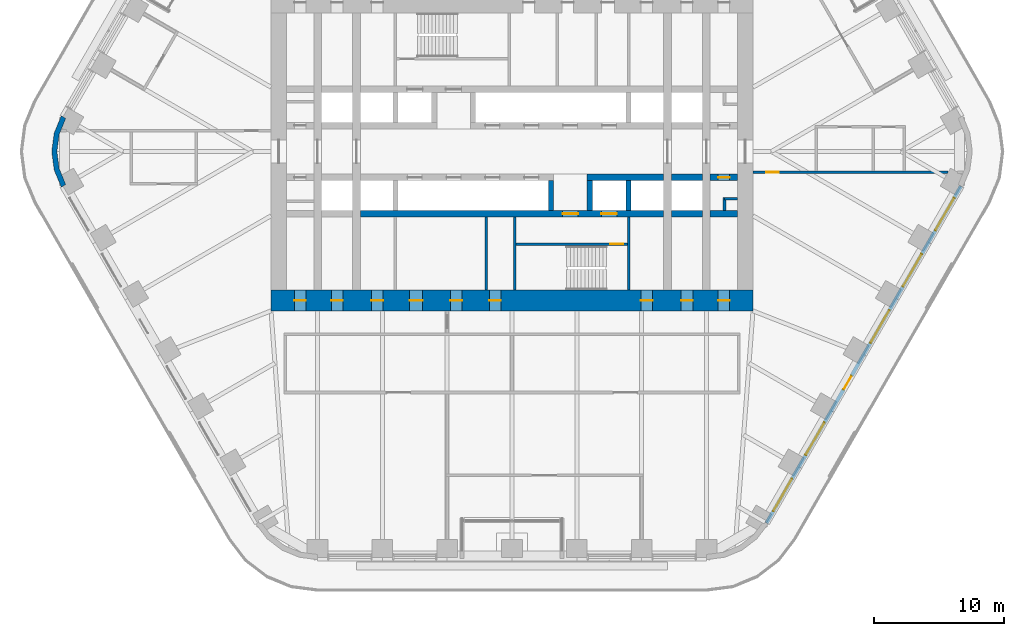
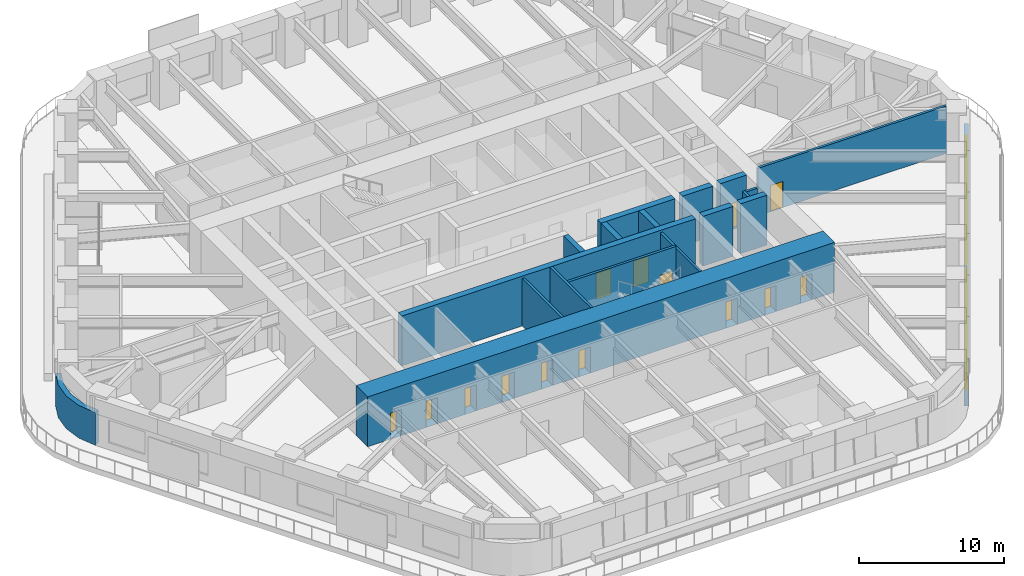
# One storey, part 18 of 24: 19 walls, 15 doors, 5 windows, 20 openings.
"""IFC4 building model written with IfcOpenShell, lengths in metres."""

from ifc_helpers import new_model, si_unit, direction, frame, frame_2d, origin, place, context, subcontext, project, spatial, polyline, rectangle, outline, extrude, material, layer, layer_set, type_object, element, fill, save


model = new_model("IFC4")

# Units and contexts
model_context = context("Model", 3, precision=1e-05, world=origin(), true_north=direction((0.0, 1.0)))
body_context = subcontext(model_context, "Body", "Model", "MODEL_VIEW")
ifc_project = project(units=[si_unit("LENGTHUNIT", "METRE"), si_unit("AREAUNIT", "SQUARE_METRE"), si_unit("VOLUMEUNIT", "CUBIC_METRE"), si_unit("PLANEANGLEUNIT", "RADIAN"), si_unit("MASSUNIT", "GRAM", prefix="KILO")], contexts=[model_context])

# Site, building, storey
site_placement = place(None, origin())
site = spatial("IfcSite", under=ifc_project, at=site_placement, CompositionType="ELEMENT")
building_placement = place(site_placement, origin())
building = spatial("IfcBuilding", under=site, at=building_placement, Name="Tarfa Lantern Tower", CompositionType="ELEMENT")
storey_placement = place(building_placement, frame((0.0, 0.0, 174.10009765625)))
storey = spatial("IfcBuildingStorey", under=building, at=storey_placement, Name="L39", CompositionType="ELEMENT", Elevation=174.10009765625)

# Wall, openings, door, windows
ifc_material_1 = material(Name="Limestone cladding on blockwork", Category="masonry")
ifc_layer_1 = layer(ifc_material_1, 0.300048828125)
ifc_layer_set_1 = layer_set([ifc_layer_1], Name="EW1 STONE-CLAD WALL 300")
wall_type_1 = type_object("IfcWallType", Name="EW1 STONE-CLAD WALL 300", PredefinedType="SOLIDWALL", material=ifc_layer_set_1)
wall_1_placement = place(storey_placement, frame((19.644287109375, -28.675048828125, 0.0), z_axis=(0.0, 0.0, 1.0), x_axis=(0.500003084452, 0.866023622968, 0.0)))
wall_1 = element("IfcWall", 1, at=wall_1_placement, inside=storey, type_object=wall_type_1, Name="Stone wall SE", PredefinedType="SOLIDWALL", context=body_context, shape_type="SweptSolid", body=[
    extrude(rectangle(XDim=30.022216796875, YDim=0.300048828125, at=frame_2d((15.01123046875, 0.0))), origin(), (0.0, 0.0, 1.0), 2.75),
])
opening_1_placement = place(wall_1_placement, frame((1.0517578125, 0.0, 0.60009765625)))
opening_1 = element("IfcOpeningElement", 2, at=opening_1_placement, cuts=wall_1, Name="Opening W9", PredefinedType="OPENING", context=body_context, shape_type="SweptSolid", body=[
    extrude(rectangle(XDim=2.89990234375, YDim=1.89990234375, at=frame_2d((1.449951171875, 0.949951171875))), frame((0.0, 0.159912109375, 0.0), z_axis=(0.0, -1.0, 0.0), x_axis=(1.0, 0.0, 0.0)), (0.0, 0.0, 1.0), 0.320068359375),
])
opening_2_placement = place(wall_1_placement, frame((6.0556640625, 0.0, 0.60009765625)))
opening_2 = element("IfcOpeningElement", 3, at=opening_2_placement, cuts=wall_1, Name="Opening W9", PredefinedType="OPENING", context=body_context, shape_type="SweptSolid", body=[
    extrude(rectangle(XDim=2.89990234375, YDim=1.89990234375, at=frame_2d((1.449951171875, 0.949951171875))), frame((0.0, 0.159912109375, 0.0), z_axis=(0.0, -1.0, 0.0), x_axis=(1.0, 0.0, 0.0)), (0.0, 0.0, 1.0), 0.320068359375),
])
opening_3_placement = place(wall_1_placement, frame((11.9091796875, 0.0, 0.0)))
opening_3 = element("IfcOpeningElement", 4, at=opening_3_placement, cuts=wall_1, Name="Opening D46", PredefinedType="OPENING", context=body_context, shape_type="SweptSolid", body=[
    extrude(rectangle(XDim=1.199951171875, YDim=2.39990234375, at=frame_2d((0.60009765625, 1.199951171875))), frame((0.0, 0.159912109375, 0.0), z_axis=(0.0, -1.0, 0.0), x_axis=(1.0, 0.0, 0.0)), (0.0, 0.0, 1.0), 0.320068359375),
])
opening_4_placement = place(wall_1_placement, frame((16.06298828125, 0.0, 0.60009765625)))
opening_4 = element("IfcOpeningElement", 5, at=opening_4_placement, cuts=wall_1, Name="Opening W9", PredefinedType="OPENING", context=body_context, shape_type="SweptSolid", body=[
    extrude(rectangle(XDim=2.89990234375, YDim=1.89990234375, at=frame_2d((1.449951171875, 0.949951171875))), frame((0.0, 0.159912109375, 0.0), z_axis=(0.0, -1.0, 0.0), x_axis=(1.0, 0.0, 0.0)), (0.0, 0.0, 1.0), 0.320068359375),
])
opening_5_placement = place(wall_1_placement, frame((21.066650390625, 0.0, 0.60009765625)))
opening_5 = element("IfcOpeningElement", 6, at=opening_5_placement, cuts=wall_1, Name="Opening W9", PredefinedType="OPENING", context=body_context, shape_type="SweptSolid", body=[
    extrude(rectangle(XDim=2.89990234375, YDim=1.89990234375, at=frame_2d((1.449951171875, 0.949951171875))), frame((0.0, 0.159912109375, 0.0), z_axis=(0.0, -1.0, 0.0), x_axis=(1.0, 0.0, 0.0)), (0.0, 0.0, 1.0), 0.320068359375),
])
opening_6_placement = place(wall_1_placement, frame((26.0703125, 0.0, 0.60009765625)))
opening_6 = element("IfcOpeningElement", 7, at=opening_6_placement, cuts=wall_1, Name="Opening W9", PredefinedType="OPENING", context=body_context, shape_type="SweptSolid", body=[
    extrude(rectangle(XDim=2.89990234375, YDim=1.89990234375, at=frame_2d((1.449951171875, 0.949951171875))), frame((0.0, 0.159912109375, 0.0), z_axis=(0.0, -1.0, 0.0), x_axis=(1.0, 0.0, 0.0)), (0.0, 0.0, 1.0), 0.320068359375),
])
ifc_material_2 = material(Name="Aluminium framed glazed door", Category="aluminium")
door_type_1 = type_object("IfcDoorType", Name="BE3 BALCONY DOOR 1200x2400", OperationType="SINGLE_SWING_RIGHT", PredefinedType="DOOR", material=ifc_material_2)
door_1_placement = place(opening_3_placement, origin())
door_1 = element("IfcDoor", 8, at=door_1_placement, inside=storey, type_object=door_type_1, Name="Balcony door SE", OperationType="SINGLE_SWING_RIGHT", OverallHeight=2.39990234375, OverallWidth=1.199951171875, PredefinedType="DOOR", context=body_context, shape_type="SweptSolid", body=[
    extrude(rectangle(XDim=1.199951171875, YDim=2.39990234375, at=frame_2d((0.60009765625, 1.199951171875))), frame((0.0, 0.02490234375, 0.0), z_axis=(0.0, -1.0, 0.0), x_axis=(1.0, 0.0, 0.0)), (0.0, 0.0, 1.0), 0.050048828125),
])
fill(opening_3, door_1)
ifc_material_3 = material(Name="Aluminium frame, double glazed", Category="aluminium")
window_type = type_object("IfcWindowType", Name="W9 FULL-HEIGHT GLAZING 2900x1900", PartitioningType="SINGLE_PANEL", PredefinedType="WINDOW", material=ifc_material_3)
window_1_placement = place(opening_1_placement, origin())
window_1 = element("IfcWindow", 9, at=window_1_placement, inside=storey, type_object=window_type, Name="Window SE 1", OverallHeight=1.89990234375, OverallWidth=2.89990234375, PartitioningType="SINGLE_PANEL", PredefinedType="WINDOW", context=body_context, shape_type="SweptSolid", body=[
    extrude(rectangle(XDim=2.89990234375, YDim=1.89990234375, at=frame_2d((1.449951171875, 0.949951171875))), frame((0.0, 0.030029296875, 0.0), z_axis=(0.0, -1.0, 0.0), x_axis=(1.0, 0.0, 0.0)), (0.0, 0.0, 1.0), 0.06005859375),
])
fill(opening_1, window_1)
window_2_placement = place(opening_2_placement, origin())
window_2 = element("IfcWindow", 10, at=window_2_placement, inside=storey, type_object=window_type, Name="Window SE 2", OverallHeight=1.89990234375, OverallWidth=2.89990234375, PartitioningType="SINGLE_PANEL", PredefinedType="WINDOW", context=body_context, shape_type="SweptSolid", body=[
    extrude(rectangle(XDim=2.89990234375, YDim=1.89990234375, at=frame_2d((1.449951171875, 0.949951171875))), frame((0.0, 0.030029296875, 0.0), z_axis=(0.0, -1.0, 0.0), x_axis=(1.0, 0.0, 0.0)), (0.0, 0.0, 1.0), 0.06005859375),
])
fill(opening_2, window_2)
window_3_placement = place(opening_4_placement, origin())
window_3 = element("IfcWindow", 11, at=window_3_placement, inside=storey, type_object=window_type, Name="Window SE 4", OverallHeight=1.89990234375, OverallWidth=2.89990234375, PartitioningType="SINGLE_PANEL", PredefinedType="WINDOW", context=body_context, shape_type="SweptSolid", body=[
    extrude(rectangle(XDim=2.89990234375, YDim=1.89990234375, at=frame_2d((1.449951171875, 0.949951171875))), frame((0.0, 0.030029296875, 0.0), z_axis=(0.0, -1.0, 0.0), x_axis=(1.0, 0.0, 0.0)), (0.0, 0.0, 1.0), 0.06005859375),
])
fill(opening_4, window_3)
window_4_placement = place(opening_5_placement, origin())
window_4 = element("IfcWindow", 12, at=window_4_placement, inside=storey, type_object=window_type, Name="Window SE 5", OverallHeight=1.89990234375, OverallWidth=2.89990234375, PartitioningType="SINGLE_PANEL", PredefinedType="WINDOW", context=body_context, shape_type="SweptSolid", body=[
    extrude(rectangle(XDim=2.89990234375, YDim=1.89990234375, at=frame_2d((1.449951171875, 0.949951171875))), frame((0.0, 0.030029296875, 0.0), z_axis=(0.0, -1.0, 0.0), x_axis=(1.0, 0.0, 0.0)), (0.0, 0.0, 1.0), 0.06005859375),
])
fill(opening_5, window_4)
window_5_placement = place(opening_6_placement, origin())
window_5 = element("IfcWindow", 13, at=window_5_placement, inside=storey, type_object=window_type, Name="Window SE 6", OverallHeight=1.89990234375, OverallWidth=2.89990234375, PartitioningType="SINGLE_PANEL", PredefinedType="WINDOW", context=body_context, shape_type="SweptSolid", body=[
    extrude(rectangle(XDim=2.89990234375, YDim=1.89990234375, at=frame_2d((1.449951171875, 0.949951171875))), frame((0.0, 0.030029296875, 0.0), z_axis=(0.0, -1.0, 0.0), x_axis=(1.0, 0.0, 0.0)), (0.0, 0.0, 1.0), 0.06005859375),
])
fill(opening_6, window_5)

# Walls
ifc_layer_2 = layer(ifc_material_1, 0.39990234375)
ifc_layer_set_2 = layer_set([ifc_layer_2], Name="EW2 CURVED STONE CORNER 400")
wall_type_2 = type_object("IfcWallType", Name="EW2 CURVED STONE CORNER 400", PredefinedType="SOLIDWALL", material=ifc_layer_set_2)
wall_2_placement = place(storey_placement, origin())
element("IfcWall", 14, at=wall_2_placement, inside=storey, type_object=wall_type_2, Name="Stone corner NW-SW", PredefinedType="SOLIDWALL", context=body_context, shape_type="SweptSolid", body=[
    extrude(outline(polyline([(-34.785400390625, 2.75), (-35.334716796875, 1.423583984375), (-35.522216796875, 0.0), (-35.334716796875, -1.423583984375), (-34.785400390625, -2.75), (-34.43896484375, -2.550048828125), (-34.948486328125, -1.320068359375), (-35.122314453125, 0.0), (-34.948486328125, 1.320068359375), (-34.43896484375, 2.550048828125), (-34.785400390625, 2.75)])), origin(), (0.0, 0.0, 1.0), 2.75),
])
ifc_material_4 = material(Name="Concrete blockwork", Category="masonry")
ifc_layer_3 = layer(ifc_material_4, 0.199951171875)
ifc_layer_set_3 = layer_set([ifc_layer_3], Name="IW1 BLOCKWORK PARTITION 200 EI 120")
wall_type_3 = type_object("IfcWallType", Name="IW1 BLOCKWORK PARTITION 200 EI 120", PredefinedType="PARTITIONING", material=ifc_layer_set_3)
for number, where, z_axis, x_axis, name in (
    (15, (9.0, -5.050048828125, 0.0), (0.0, 0.0, 1.0), (0.0, -1.0, 0.0), "Core partition"),
    (16, (-2.0, -5.050048828125, 0.0), (0.0, 0.0, 1.0), (0.0, -1.0, 0.0), "Core partition"),
):
    element("IfcWall", number, at=place(storey_placement, frame(where, z_axis=z_axis, x_axis=x_axis)), inside=storey, type_object=wall_type_3, Name=name, PredefinedType="PARTITIONING", context=body_context, shape_type="SweptSolid", body=[
        extrude(rectangle(XDim=5.64990234375, YDim=0.199951171875, at=frame_2d((2.824951171875, 0.0))), origin(), (0.0, 0.0, 1.0), 4.0),
    ])
for number, where, z_axis, x_axis, name in (
    (17, (17.39990234375, -3.64990234375, 0.0), (0.0, 0.0, 1.0), (-1.0, 0.0, 0.0), "Core partition"),
    (18, (16.39990234375, -3.550048828125, 0.0), (0.0, 0.0, 1.0), (0.0, -1.0, 0.0), "Core partition"),
):
    element("IfcWall", number, at=place(storey_placement, frame(where, z_axis=z_axis, x_axis=x_axis)), inside=storey, type_object=wall_type_3, Name=name, PredefinedType="PARTITIONING", context=body_context, shape_type="SweptSolid", body=[
        extrude(rectangle(XDim=1.0, YDim=0.199951171875, at=frame_2d((0.5, 0.0))), origin(), (0.0, 0.0, 1.0), 4.0),
    ])

# Wall, opening, door
ifc_material_5 = material(Name="Gypsum board on steel studs", Category="steel")
ifc_layer_4 = layer(ifc_material_5, 0.2099609375)
ifc_layer_set_4 = layer_set([ifc_layer_4], Name="IW2 ACOUSTIC PARTITION 200")
wall_type_4 = type_object("IfcWallType", Name="IW2 ACOUSTIC PARTITION 200", PredefinedType="PARTITIONING", material=ifc_layer_set_4)
wall_3_placement = place(storey_placement, frame((18.60009765625, -1.60009765625, 0.0), z_axis=(0.0, 0.0, 1.0), x_axis=(1.0, 0.0, 0.0)))
wall_3 = element("IfcWall", 19, at=wall_3_placement, inside=storey, type_object=wall_type_4, Name="Partition", PredefinedType="PARTITIONING", context=body_context, shape_type="SweptSolid", body=[
    extrude(rectangle(XDim=15.059326171875, YDim=0.199951171875, at=frame_2d((7.52978515625, 0.0))), origin(), (0.0, 0.0, 1.0), 4.0),
])
opening_7_placement = place(wall_3_placement, frame((1.005859375, 0.0, 0.0)))
opening_7 = element("IfcOpeningElement", 20, at=opening_7_placement, cuts=wall_3, Name="Opening D42", PredefinedType="OPENING", context=body_context, shape_type="SweptSolid", body=[
    extrude(rectangle(XDim=1.0, YDim=2.199951171875, at=frame_2d((0.5, 1.10009765625))), frame((0.0, 0.10986328125, 0.0), z_axis=(0.0, -1.0, 0.0), x_axis=(1.0, 0.0, 0.0)), (0.0, 0.0, 1.0), 0.219970703125),
])
ifc_material_6 = material(Name="Timber door", Category="wood")
door_type_2 = type_object("IfcDoorType", Name="DR1 ROOM DOOR 1000x2200", OperationType="SINGLE_SWING_LEFT", PredefinedType="DOOR", material=ifc_material_6)
door_2_placement = place(opening_7_placement, frame((1.0, 0.0, 0.0), z_axis=(0.0, 0.0, 1.0), x_axis=(-1.0, 0.0, 0.0)))
door_2 = element("IfcDoor", 21, at=door_2_placement, inside=storey, type_object=door_type_2, Name="Zone door", OperationType="SINGLE_SWING_LEFT", OverallHeight=2.199951171875, OverallWidth=1.0, PredefinedType="DOOR", context=body_context, shape_type="SweptSolid", body=[
    extrude(rectangle(XDim=1.0, YDim=2.199951171875, at=frame_2d((0.5, 1.10009765625))), frame((0.0, 0.02490234375, 0.0), z_axis=(0.0, -1.0, 0.0), x_axis=(1.0, 0.0, 0.0)), (0.0, 0.0, 1.0), 0.050048828125),
])
fill(opening_7, door_2)

# Wall
ifc_material_7 = material(Name="Concrete C80/95", Category="concrete")
ifc_layer_5 = layer(ifc_material_7, 0.199951171875)
ifc_layer_set_5 = layer_set([ifc_layer_5], Name="SW12 CORE WALL 200")
wall_type_5 = type_object("IfcWallType", Name="SW12 CORE WALL 200", PredefinedType="SHEAR", material=ifc_layer_set_5)
wall_4_placement = place(storey_placement, frame((0.199951171875, -5.050048828125, 0.0), z_axis=(0.0, 0.0, 1.0), x_axis=(0.0, -1.0, 0.0)))
element("IfcWall", 22, at=wall_4_placement, inside=storey, type_object=wall_type_5, Name="Core wall stair shaft S", PredefinedType="SHEAR", context=body_context, shape_type="SweptSolid", body=[
    extrude(rectangle(XDim=5.64990234375, YDim=0.199951171875, at=frame_2d((2.824951171875, 0.0))), origin(), (0.0, 0.0, 1.0), 4.199951171875),
])

# Wall, opening, door
wall_5_placement = place(storey_placement, frame((8.89990234375, -7.14990234375, 0.0), z_axis=(0.0, 0.0, 1.0), x_axis=(-1.0, 0.0, 0.0)))
wall_5 = element("IfcWall", 23, at=wall_5_placement, inside=storey, type_object=wall_type_5, Name="Core wall stair partition S", PredefinedType="SHEAR", context=body_context, shape_type="SweptSolid", body=[
    extrude(rectangle(XDim=8.599853515625, YDim=0.199951171875, at=frame_2d((4.2998046875, 0.0))), origin(), (0.0, 0.0, 1.0), 4.199951171875),
])
opening_8_placement = place(wall_5_placement, frame((0.300048828125, 0.0, 0.0)))
opening_8 = element("IfcOpeningElement", 24, at=opening_8_placement, cuts=wall_5, Name="Opening D28", PredefinedType="OPENING", context=body_context, shape_type="SweptSolid", body=[
    extrude(rectangle(XDim=1.0, YDim=2.199951171875, at=frame_2d((0.5, 1.10009765625))), frame((0.0, 0.10986328125, 0.0), z_axis=(0.0, -1.0, 0.0), x_axis=(1.0, 0.0, 0.0)), (0.0, 0.0, 1.0), 0.219970703125),
])
ifc_material_8 = material(Name="Steel fire door", Category="steel")
door_type_3 = type_object("IfcDoorType", Name="DF2 STAIR DOOR 1000x2200", OperationType="SINGLE_SWING_LEFT", PredefinedType="DOOR", material=ifc_material_8)
door_3_placement = place(opening_8_placement, origin())
door_3 = element("IfcDoor", 25, at=door_3_placement, inside=storey, type_object=door_type_3, Name="Stair door", OperationType="SINGLE_SWING_RIGHT", OverallHeight=2.199951171875, OverallWidth=1.0, PredefinedType="DOOR", context=body_context, shape_type="SweptSolid", body=[
    extrude(rectangle(XDim=1.0, YDim=2.199951171875, at=frame_2d((0.5, 1.10009765625))), frame((0.0, 0.02490234375, 0.0), z_axis=(0.0, -1.0, 0.0), x_axis=(1.0, 0.0, 0.0)), (0.0, 0.0, 1.0), 0.050048828125),
])
fill(opening_8, door_3)

ifc_layer_6 = layer(ifc_material_7, 0.5)
ifc_layer_set_6 = layer_set([ifc_layer_6], Name="SW5 CORE WALL 500")
wall_type_6 = type_object("IfcWallType", Name="SW5 CORE WALL 500", PredefinedType="SHEAR", material=ifc_layer_set_6)
wall_6_placement = place(storey_placement, frame((17.39990234375, -2.0, 0.0), z_axis=(0.0, 0.0, 1.0), x_axis=(-1.0, 0.0, 0.0)))
wall_6 = element("IfcWall", 26, at=wall_6_placement, inside=storey, type_object=wall_type_6, Name="Core wall lobby west S", PredefinedType="SHEAR", context=body_context, shape_type="SweptSolid", body=[
    extrude(rectangle(XDim=2.099853515625, YDim=0.5, at=frame_2d((1.0498046875, 0.0))), origin(), (0.0, 0.0, 1.0), 4.199951171875),
])
opening_9_placement = place(wall_6_placement, frame((0.60009765625, 0.0, 0.0)))
opening_9 = element("IfcOpeningElement", 27, at=opening_9_placement, cuts=wall_6, Name="Opening D20", PredefinedType="OPENING", context=body_context, shape_type="SweptSolid", body=[
    extrude(rectangle(XDim=0.89990234375, YDim=2.199951171875, at=frame_2d((0.449951171875, 1.10009765625))), frame((0.0, 0.260009765625, 0.0), z_axis=(0.0, -1.0, 0.0), x_axis=(1.0, 0.0, 0.0)), (0.0, 0.0, 1.0), 0.52001953125),
])
door_type_4 = type_object("IfcDoorType", Name="DF6 SERVICE ROOM DOOR 900x2200", OperationType="SINGLE_SWING_LEFT", PredefinedType="DOOR", material=ifc_material_8)
door_4_placement = place(opening_9_placement, origin())
door_4 = element("IfcDoor", 28, at=door_4_placement, inside=storey, type_object=door_type_4, Name="Service room door", OperationType="SINGLE_SWING_LEFT", OverallHeight=2.199951171875, OverallWidth=0.89990234375, PredefinedType="DOOR", context=body_context, shape_type="SweptSolid", body=[
    extrude(rectangle(XDim=0.89990234375, YDim=2.199951171875, at=frame_2d((0.449951171875, 1.10009765625))), frame((0.0, 0.02490234375, 0.0), z_axis=(0.0, -1.0, 0.0), x_axis=(1.0, 0.0, 0.0)), (0.0, 0.0, 1.0), 0.050048828125),
])
fill(opening_9, door_4)

# Walls
wall_7_placement = place(storey_placement, frame((14.699951171875, -2.0, 0.0), z_axis=(0.0, 0.0, 1.0), x_axis=(-1.0, 0.0, 0.0)))
element("IfcWall", 29, at=wall_7_placement, inside=storey, type_object=wall_type_6, Name="Core wall lobby west S", PredefinedType="SHEAR", context=body_context, shape_type="SweptSolid", body=[
    extrude(rectangle(XDim=2.39990234375, YDim=0.5, at=frame_2d((1.199951171875, 0.0))), origin(), (0.0, 0.0, 1.0), 4.199951171875),
])
wall_8_placement = place(storey_placement, frame((11.699951171875, -2.0, 0.0), z_axis=(0.0, 0.0, 1.0), x_axis=(-1.0, 0.0, 0.0)))
element("IfcWall", 30, at=wall_8_placement, inside=storey, type_object=wall_type_6, Name="Core wall lobby west S", PredefinedType="SHEAR", context=body_context, shape_type="SweptSolid", body=[
    extrude(rectangle(XDim=5.89990234375, YDim=0.5, at=frame_2d((2.949951171875, 0.0))), origin(), (0.0, 0.0, 1.0), 4.199951171875),
])
wall_9_placement = place(storey_placement, frame((17.39990234375, -4.800048828125, 0.0), z_axis=(0.0, 0.0, 1.0), x_axis=(-1.0, 0.0, 0.0)))
element("IfcWall", 31, at=wall_9_placement, inside=storey, type_object=wall_type_6, Name="Core wall rear S", PredefinedType="SHEAR", context=body_context, shape_type="SweptSolid", body=[
    extrude(rectangle(XDim=2.099853515625, YDim=0.5, at=frame_2d((1.0498046875, 0.0))), origin(), (0.0, 0.0, 1.0), 4.199951171875),
])
wall_10_placement = place(storey_placement, frame((14.699951171875, -4.800048828125, 0.0), z_axis=(0.0, 0.0, 1.0), x_axis=(-1.0, 0.0, 0.0)))
element("IfcWall", 32, at=wall_10_placement, inside=storey, type_object=wall_type_6, Name="Core wall rear S", PredefinedType="SHEAR", context=body_context, shape_type="SweptSolid", body=[
    extrude(rectangle(XDim=2.39990234375, YDim=0.5, at=frame_2d((1.199951171875, 0.0))), origin(), (0.0, 0.0, 1.0), 4.199951171875),
])

# Wall, openings, doors
wall_11_placement = place(storey_placement, frame((11.699951171875, -4.800048828125, 0.0), z_axis=(0.0, 0.0, 1.0), x_axis=(-1.0, 0.0, 0.0)))
wall_11 = element("IfcWall", 33, at=wall_11_placement, inside=storey, type_object=wall_type_6, Name="Core wall rear S", PredefinedType="SHEAR", context=body_context, shape_type="SweptSolid", body=[
    extrude(rectangle(XDim=23.39990234375, YDim=0.5, at=frame_2d((11.699951171875, 0.0))), origin(), (0.0, 0.0, 1.0), 4.199951171875),
])
opening_10_placement = place(wall_11_placement, frame((6.60009765625, 0.0, 0.0)))
opening_10 = element("IfcOpeningElement", 34, at=opening_10_placement, cuts=wall_11, Name="Opening D14", PredefinedType="OPENING", context=body_context, shape_type="SweptSolid", body=[
    extrude(rectangle(XDim=1.199951171875, YDim=2.199951171875, at=frame_2d((0.60009765625, 1.10009765625))), frame((0.0, 0.260009765625, 0.0), z_axis=(0.0, -1.0, 0.0), x_axis=(1.0, 0.0, 0.0)), (0.0, 0.0, 1.0), 0.52001953125),
])
opening_11_placement = place(wall_11_placement, frame((3.60009765625, 0.0, 0.0)))
opening_11 = element("IfcOpeningElement", 35, at=opening_11_placement, cuts=wall_11, Name="Opening LD02", PredefinedType="OPENING", context=body_context, shape_type="SweptSolid", body=[
    extrude(rectangle(XDim=1.199951171875, YDim=2.199951171875, at=frame_2d((0.60009765625, 1.10009765625))), frame((0.0, 0.260009765625, 0.0), z_axis=(0.0, -1.0, 0.0), x_axis=(1.0, 0.0, 0.0)), (0.0, 0.0, 1.0), 0.52001953125),
])
door_type_5 = type_object("IfcDoorType", Name="DF1 FIREFIGHTING LOBBY DOOR 1200x2200", OperationType="SINGLE_SWING_LEFT", PredefinedType="DOOR", material=ifc_material_8)
door_5_placement = place(opening_10_placement, origin())
door_5 = element("IfcDoor", 36, at=door_5_placement, inside=storey, type_object=door_type_5, Name="Firefighting lobby door", OperationType="SINGLE_SWING_LEFT", OverallHeight=2.199951171875, OverallWidth=1.199951171875, PredefinedType="DOOR", context=body_context, shape_type="SweptSolid", body=[
    extrude(rectangle(XDim=1.199951171875, YDim=2.199951171875, at=frame_2d((0.60009765625, 1.10009765625))), frame((0.0, 0.02490234375, 0.0), z_axis=(0.0, -1.0, 0.0), x_axis=(1.0, 0.0, 0.0)), (0.0, 0.0, 1.0), 0.050048828125),
])
fill(opening_10, door_5)
ifc_material_9 = material(Name="Stainless steel lift door", Category="steel")
door_type_6 = type_object("IfcDoorType", Name="LD1 LIFT LANDING DOOR 1200x2200", OperationType="SLIDING_TO_LEFT", PredefinedType="DOOR", material=ifc_material_9)
door_6_placement = place(opening_11_placement, origin())
door_6 = element("IfcDoor", 37, at=door_6_placement, inside=storey, type_object=door_type_6, Name="Landing door FL2", OperationType="SLIDING_TO_LEFT", OverallHeight=2.199951171875, OverallWidth=1.199951171875, PredefinedType="DOOR", context=body_context, shape_type="SweptSolid", body=[
    extrude(rectangle(XDim=1.199951171875, YDim=2.199951171875, at=frame_2d((0.60009765625, 1.10009765625))), frame((0.0, 0.02490234375, 0.0), z_axis=(0.0, -1.0, 0.0), x_axis=(1.0, 0.0, 0.0)), (0.0, 0.0, 1.0), 0.050048828125),
])
fill(opening_11, door_6)

# Walls
ifc_layer_7 = layer(ifc_material_7, 0.39990234375)
ifc_layer_set_7 = layer_set([ifc_layer_7], Name="SW6 CORE WALL 400")
wall_type_7 = type_object("IfcWallType", Name="SW6 CORE WALL 400", PredefinedType="SHEAR", material=ifc_layer_set_7)
for number, where, z_axis, x_axis, name in (
    (38, (9.0, -2.25, 0.0), (0.0, 0.0, 1.0), (0.0, -1.0, 0.0), "Core wall divider S"),
    (39, (6.0, -2.25, 0.0), (0.0, 0.0, 1.0), (0.0, -1.0, 0.0), "Core wall divider S"),
    (40, (3.0, -2.25, 0.0), (0.0, 0.0, 1.0), (0.0, -1.0, 0.0), "Core wall divider S"),
):
    element("IfcWall", number, at=place(storey_placement, frame(where, z_axis=z_axis, x_axis=x_axis)), inside=storey, type_object=wall_type_7, Name=name, PredefinedType="SHEAR", context=body_context, shape_type="SweptSolid", body=[
        extrude(rectangle(XDim=2.300048828125, YDim=0.39990234375, at=frame_2d((1.14990234375, 0.0))), origin(), (0.0, 0.0, 1.0), 4.199951171875),
    ])

# Wall, openings, doors
ifc_layer_8 = layer(ifc_material_7, 1.60009765625)
ifc_layer_set_8 = layer_set([ifc_layer_8], Name="SW7 CORE WALL 1600")
wall_type_8 = type_object("IfcWallType", Name="SW7 CORE WALL 1600", PredefinedType="SHEAR", material=ifc_layer_set_8)
wall_12_placement = place(storey_placement, frame((18.60009765625, -11.5, 0.0), z_axis=(0.0, 0.0, 1.0), x_axis=(-1.0, 0.0, 0.0)))
wall_12 = element("IfcWall", 41, at=wall_12_placement, inside=storey, type_object=wall_type_8, Name="Core wall S", PredefinedType="SHEAR", context=body_context, shape_type="SweptSolid", body=[
    extrude(rectangle(XDim=37.2001953125, YDim=1.60009765625, at=frame_2d((18.60009765625, 0.0))), origin(), (0.0, 0.0, 1.0), 4.199951171875),
])
opening_12_placement = place(wall_12_placement, frame((19.449951171875, 0.0, 0.0)))
opening_12 = element("IfcOpeningElement", 42, at=opening_12_placement, cuts=wall_12, Name="Opening D22", PredefinedType="OPENING", context=body_context, shape_type="SweptSolid", body=[
    extrude(rectangle(XDim=0.89990234375, YDim=2.199951171875, at=frame_2d((0.449951171875, 1.10009765625))), frame((0.0, 0.81005859375, 0.0), z_axis=(0.0, -1.0, 0.0), x_axis=(1.0, 0.0, 0.0)), (0.0, 0.0, 1.0), 1.6201171875),
])
opening_13_placement = place(wall_12_placement, frame((22.449951171875, 0.0, 0.0)))
opening_13 = element("IfcOpeningElement", 43, at=opening_13_placement, cuts=wall_12, Name="Opening D24", PredefinedType="OPENING", context=body_context, shape_type="SweptSolid", body=[
    extrude(rectangle(XDim=0.89990234375, YDim=2.199951171875, at=frame_2d((0.449951171875, 1.10009765625))), frame((0.0, 0.81005859375, 0.0), z_axis=(0.0, -1.0, 0.0), x_axis=(1.0, 0.0, 0.0)), (0.0, 0.0, 1.0), 1.6201171875),
])
opening_14_placement = place(wall_12_placement, frame((25.5, 0.0, 0.0)))
opening_14 = element("IfcOpeningElement", 44, at=opening_14_placement, cuts=wall_12, Name="Opening D26", PredefinedType="OPENING", context=body_context, shape_type="SweptSolid", body=[
    extrude(rectangle(XDim=1.0, YDim=2.199951171875, at=frame_2d((0.5, 1.10009765625))), frame((0.0, 0.81005859375, 0.0), z_axis=(0.0, -1.0, 0.0), x_axis=(1.0, 0.0, 0.0)), (0.0, 0.0, 1.0), 1.6201171875),
])
opening_15_placement = place(wall_12_placement, frame((1.800048828125, 0.0, 0.0)))
opening_15 = element("IfcOpeningElement", 45, at=opening_15_placement, cuts=wall_12, Name="Opening D12", PredefinedType="OPENING", context=body_context, shape_type="SweptSolid", body=[
    extrude(rectangle(XDim=0.89990234375, YDim=2.199951171875, at=frame_2d((0.449951171875, 1.10009765625))), frame((0.0, 0.81005859375, 0.0), z_axis=(0.0, -1.0, 0.0), x_axis=(1.0, 0.0, 0.0)), (0.0, 0.0, 1.0), 1.6201171875),
])
opening_16_placement = place(wall_12_placement, frame((4.64990234375, 0.0, 0.0)))
opening_16 = element("IfcOpeningElement", 46, at=opening_16_placement, cuts=wall_12, Name="Opening D08", PredefinedType="OPENING", context=body_context, shape_type="SweptSolid", body=[
    extrude(rectangle(XDim=0.89990234375, YDim=2.199951171875, at=frame_2d((0.449951171875, 1.10009765625))), frame((0.0, 0.81005859375, 0.0), z_axis=(0.0, -1.0, 0.0), x_axis=(1.0, 0.0, 0.0)), (0.0, 0.0, 1.0), 1.6201171875),
])
opening_17_placement = place(wall_12_placement, frame((7.75, 0.0, 0.0)))
opening_17 = element("IfcOpeningElement", 47, at=opening_17_placement, cuts=wall_12, Name="Opening D10", PredefinedType="OPENING", context=body_context, shape_type="SweptSolid", body=[
    extrude(rectangle(XDim=0.89990234375, YDim=2.199951171875, at=frame_2d((0.449951171875, 1.10009765625))), frame((0.0, 0.81005859375, 0.0), z_axis=(0.0, -1.0, 0.0), x_axis=(1.0, 0.0, 0.0)), (0.0, 0.0, 1.0), 1.6201171875),
])
opening_18_placement = place(wall_12_placement, frame((28.550048828125, 0.0, 0.0)))
opening_18 = element("IfcOpeningElement", 48, at=opening_18_placement, cuts=wall_12, Name="Opening D06", PredefinedType="OPENING", context=body_context, shape_type="SweptSolid", body=[
    extrude(rectangle(XDim=0.89990234375, YDim=2.199951171875, at=frame_2d((0.449951171875, 1.10009765625))), frame((0.0, 0.81005859375, 0.0), z_axis=(0.0, -1.0, 0.0), x_axis=(1.0, 0.0, 0.0)), (0.0, 0.0, 1.0), 1.6201171875),
])
opening_19_placement = place(wall_12_placement, frame((31.64990234375, 0.0, 0.0)))
opening_19 = element("IfcOpeningElement", 49, at=opening_19_placement, cuts=wall_12, Name="Opening D02", PredefinedType="OPENING", context=body_context, shape_type="SweptSolid", body=[
    extrude(rectangle(XDim=0.89990234375, YDim=2.199951171875, at=frame_2d((0.449951171875, 1.10009765625))), frame((0.0, 0.81005859375, 0.0), z_axis=(0.0, -1.0, 0.0), x_axis=(1.0, 0.0, 0.0)), (0.0, 0.0, 1.0), 1.6201171875),
])
opening_20_placement = place(wall_12_placement, frame((34.5, 0.0, 0.0)))
opening_20 = element("IfcOpeningElement", 50, at=opening_20_placement, cuts=wall_12, Name="Opening D04", PredefinedType="OPENING", context=body_context, shape_type="SweptSolid", body=[
    extrude(rectangle(XDim=0.89990234375, YDim=2.199951171875, at=frame_2d((0.449951171875, 1.10009765625))), frame((0.0, 0.81005859375, 0.0), z_axis=(0.0, -1.0, 0.0), x_axis=(1.0, 0.0, 0.0)), (0.0, 0.0, 1.0), 1.6201171875),
])
door_type_7 = type_object("IfcDoorType", Name="DF3 CORE ROOM DOOR 900x2200", OperationType="SINGLE_SWING_LEFT", PredefinedType="DOOR", material=ifc_material_8)
door_7_placement = place(opening_12_placement, frame((0.89990234375, 0.0, 0.0), z_axis=(0.0, 0.0, 1.0), x_axis=(-1.0, 0.0, 0.0)))
door_7 = element("IfcDoor", 51, at=door_7_placement, inside=storey, type_object=door_type_7, Name="Core door", OperationType="SINGLE_SWING_RIGHT", OverallHeight=2.199951171875, OverallWidth=0.89990234375, PredefinedType="DOOR", context=body_context, shape_type="SweptSolid", body=[
    extrude(rectangle(XDim=0.89990234375, YDim=2.199951171875, at=frame_2d((0.449951171875, 1.10009765625))), frame((0.0, 0.02490234375, 0.0), z_axis=(0.0, -1.0, 0.0), x_axis=(1.0, 0.0, 0.0)), (0.0, 0.0, 1.0), 0.050048828125),
])
fill(opening_12, door_7)
door_8_placement = place(opening_13_placement, frame((0.89990234375, 0.0, 0.0), z_axis=(0.0, 0.0, 1.0), x_axis=(-1.0, 0.0, 0.0)))
door_8 = element("IfcDoor", 52, at=door_8_placement, inside=storey, type_object=door_type_7, Name="Core door", OperationType="SINGLE_SWING_LEFT", OverallHeight=2.199951171875, OverallWidth=0.89990234375, PredefinedType="DOOR", context=body_context, shape_type="SweptSolid", body=[
    extrude(rectangle(XDim=0.89990234375, YDim=2.199951171875, at=frame_2d((0.449951171875, 1.10009765625))), frame((0.0, 0.02490234375, 0.0), z_axis=(0.0, -1.0, 0.0), x_axis=(1.0, 0.0, 0.0)), (0.0, 0.0, 1.0), 0.050048828125),
])
fill(opening_13, door_8)
door_type_8 = type_object("IfcDoorType", Name="DF4 CORE ROOM DOOR 1000x2200", OperationType="SINGLE_SWING_LEFT", PredefinedType="DOOR", material=ifc_material_8)
door_9_placement = place(opening_14_placement, frame((1.0, 0.0, 0.0), z_axis=(0.0, 0.0, 1.0), x_axis=(-1.0, 0.0, 0.0)))
door_9 = element("IfcDoor", 53, at=door_9_placement, inside=storey, type_object=door_type_8, Name="Core door", OperationType="SINGLE_SWING_RIGHT", OverallHeight=2.199951171875, OverallWidth=1.0, PredefinedType="DOOR", context=body_context, shape_type="SweptSolid", body=[
    extrude(rectangle(XDim=1.0, YDim=2.199951171875, at=frame_2d((0.5, 1.10009765625))), frame((0.0, 0.02490234375, 0.0), z_axis=(0.0, -1.0, 0.0), x_axis=(1.0, 0.0, 0.0)), (0.0, 0.0, 1.0), 0.050048828125),
])
fill(opening_14, door_9)
door_type_9 = type_object("IfcDoorType", Name="DF5 RISER DOOR 900x2200", OperationType="SINGLE_SWING_LEFT", PredefinedType="DOOR", material=ifc_material_8)
door_10_placement = place(opening_15_placement, frame((0.89990234375, 0.0, 0.0), z_axis=(0.0, 0.0, 1.0), x_axis=(-1.0, 0.0, 0.0)))
door_10 = element("IfcDoor", 54, at=door_10_placement, inside=storey, type_object=door_type_9, Name="Riser door", OperationType="SINGLE_SWING_LEFT", OverallHeight=2.199951171875, OverallWidth=0.89990234375, PredefinedType="DOOR", context=body_context, shape_type="SweptSolid", body=[
    extrude(rectangle(XDim=0.89990234375, YDim=2.199951171875, at=frame_2d((0.449951171875, 1.10009765625))), frame((0.0, 0.02490234375, 0.0), z_axis=(0.0, -1.0, 0.0), x_axis=(1.0, 0.0, 0.0)), (0.0, 0.0, 1.0), 0.050048828125),
])
fill(opening_15, door_10)
door_11_placement = place(opening_16_placement, frame((0.89990234375, 0.0, 0.0), z_axis=(0.0, 0.0, 1.0), x_axis=(-1.0, 0.0, 0.0)))
door_11 = element("IfcDoor", 55, at=door_11_placement, inside=storey, type_object=door_type_9, Name="Riser door", OperationType="SINGLE_SWING_LEFT", OverallHeight=2.199951171875, OverallWidth=0.89990234375, PredefinedType="DOOR", context=body_context, shape_type="SweptSolid", body=[
    extrude(rectangle(XDim=0.89990234375, YDim=2.199951171875, at=frame_2d((0.449951171875, 1.10009765625))), frame((0.0, 0.02490234375, 0.0), z_axis=(0.0, -1.0, 0.0), x_axis=(1.0, 0.0, 0.0)), (0.0, 0.0, 1.0), 0.050048828125),
])
fill(opening_16, door_11)
door_12_placement = place(opening_17_placement, frame((0.89990234375, 0.0, 0.0), z_axis=(0.0, 0.0, 1.0), x_axis=(-1.0, 0.0, 0.0)))
door_12 = element("IfcDoor", 56, at=door_12_placement, inside=storey, type_object=door_type_9, Name="Riser door", OperationType="SINGLE_SWING_LEFT", OverallHeight=2.199951171875, OverallWidth=0.89990234375, PredefinedType="DOOR", context=body_context, shape_type="SweptSolid", body=[
    extrude(rectangle(XDim=0.89990234375, YDim=2.199951171875, at=frame_2d((0.449951171875, 1.10009765625))), frame((0.0, 0.02490234375, 0.0), z_axis=(0.0, -1.0, 0.0), x_axis=(1.0, 0.0, 0.0)), (0.0, 0.0, 1.0), 0.050048828125),
])
fill(opening_17, door_12)
door_13_placement = place(opening_18_placement, frame((0.89990234375, 0.0, 0.0), z_axis=(0.0, 0.0, 1.0), x_axis=(-1.0, 0.0, 0.0)))
door_13 = element("IfcDoor", 57, at=door_13_placement, inside=storey, type_object=door_type_9, Name="Riser door", OperationType="SINGLE_SWING_RIGHT", OverallHeight=2.199951171875, OverallWidth=0.89990234375, PredefinedType="DOOR", context=body_context, shape_type="SweptSolid", body=[
    extrude(rectangle(XDim=0.89990234375, YDim=2.199951171875, at=frame_2d((0.449951171875, 1.10009765625))), frame((0.0, 0.02490234375, 0.0), z_axis=(0.0, -1.0, 0.0), x_axis=(1.0, 0.0, 0.0)), (0.0, 0.0, 1.0), 0.050048828125),
])
fill(opening_18, door_13)
door_14_placement = place(opening_19_placement, frame((0.89990234375, 0.0, 0.0), z_axis=(0.0, 0.0, 1.0), x_axis=(-1.0, 0.0, 0.0)))
door_14 = element("IfcDoor", 58, at=door_14_placement, inside=storey, type_object=door_type_9, Name="Riser door", OperationType="SINGLE_SWING_RIGHT", OverallHeight=2.199951171875, OverallWidth=0.89990234375, PredefinedType="DOOR", context=body_context, shape_type="SweptSolid", body=[
    extrude(rectangle(XDim=0.89990234375, YDim=2.199951171875, at=frame_2d((0.449951171875, 1.10009765625))), frame((0.0, 0.02490234375, 0.0), z_axis=(0.0, -1.0, 0.0), x_axis=(1.0, 0.0, 0.0)), (0.0, 0.0, 1.0), 0.050048828125),
])
fill(opening_19, door_14)
door_15_placement = place(opening_20_placement, frame((0.89990234375, 0.0, 0.0), z_axis=(0.0, 0.0, 1.0), x_axis=(-1.0, 0.0, 0.0)))
door_15 = element("IfcDoor", 59, at=door_15_placement, inside=storey, type_object=door_type_9, Name="Riser door", OperationType="SINGLE_SWING_RIGHT", OverallHeight=2.199951171875, OverallWidth=0.89990234375, PredefinedType="DOOR", context=body_context, shape_type="SweptSolid", body=[
    extrude(rectangle(XDim=0.89990234375, YDim=2.199951171875, at=frame_2d((0.449951171875, 1.10009765625))), frame((0.0, 0.02490234375, 0.0), z_axis=(0.0, -1.0, 0.0), x_axis=(1.0, 0.0, 0.0)), (0.0, 0.0, 1.0), 0.050048828125),
])
fill(opening_20, door_15)

save(model, "model.ifc")
